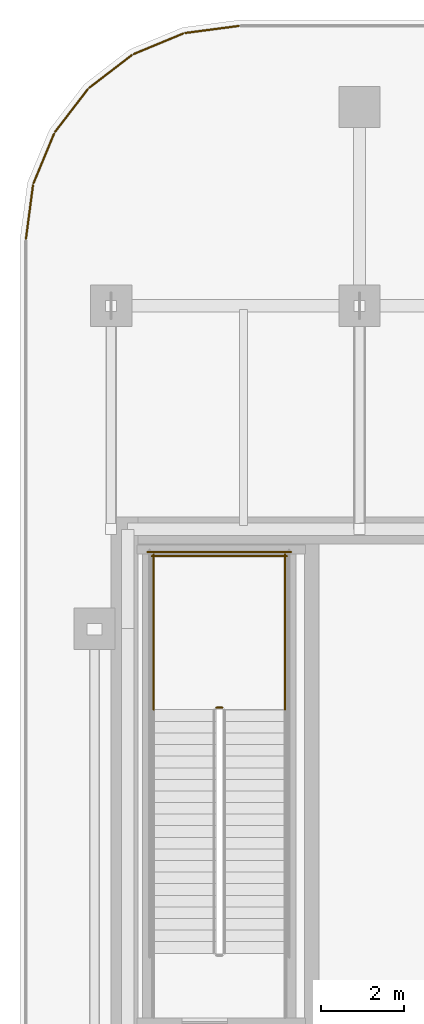
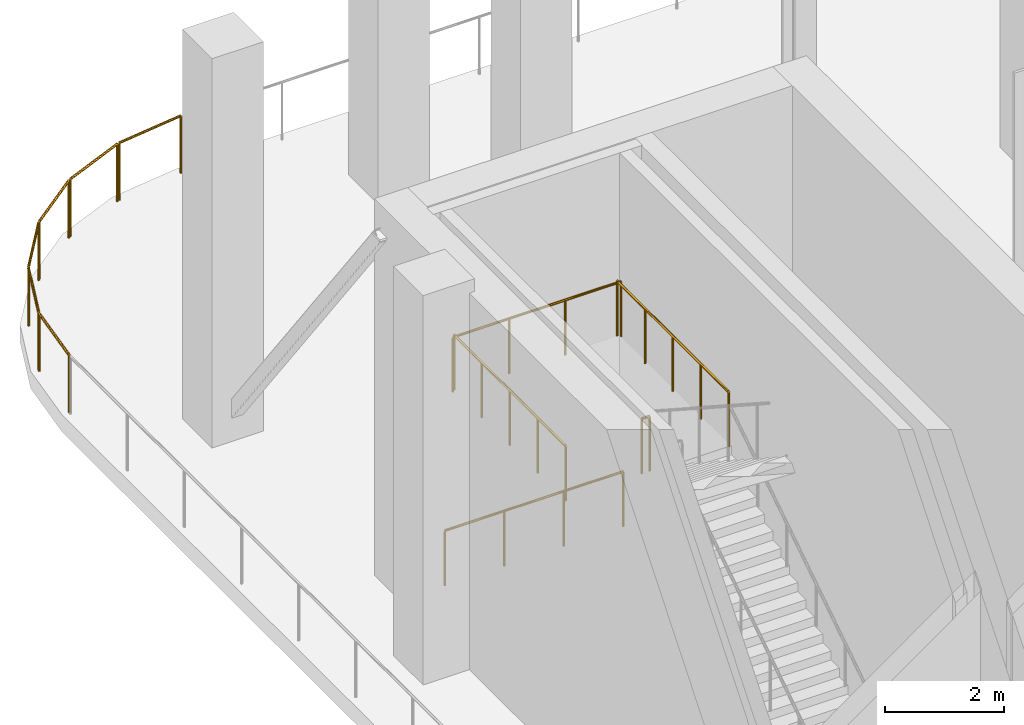
# One storey, part 11 of 12: 11 railings.
"""IFC4 building model written with IfcOpenShell, lengths in metres."""

from ifc_helpers import new_model, si_unit, direction, frame, origin, origin_2d, place, context, subcontext, project, spatial, circle, extrude, material, type_object, element, save


model = new_model("IFC4")

# Units and contexts
model_context = context("Model", 3, precision=1e-05, world=origin(), true_north=direction((0.0, 1.0)))
body_context = subcontext(model_context, "Body", "Model", "MODEL_VIEW")
ifc_project = project(units=[si_unit("LENGTHUNIT", "METRE"), si_unit("AREAUNIT", "SQUARE_METRE"), si_unit("VOLUMEUNIT", "CUBIC_METRE"), si_unit("PLANEANGLEUNIT", "RADIAN"), si_unit("MASSUNIT", "GRAM", prefix="KILO")], contexts=[model_context])

# Site, building, storey
site_placement = place(None, origin())
site = spatial("IfcSite", under=ifc_project, at=site_placement, CompositionType="ELEMENT")
building_placement = place(site_placement, origin())
building = spatial("IfcBuilding", under=site, at=building_placement, Name="Khairoan Windgate Tower", CompositionType="ELEMENT")
storey_placement = place(building_placement, frame((0.0, 0.0, 214.39990234375)))
storey = spatial("IfcBuildingStorey", under=building, at=storey_placement, Name="L50", CompositionType="ELEMENT", Elevation=214.39990234375)

# Railings
ifc_material_1 = material(Name="Anodised Bronze Aluminium 6063-T6", Category="aluminium")
railing_type_1 = type_object("IfcRailingType", Name="Aerodynamic Bronze-and-Glass Balustrade BAL-1200", PredefinedType="BALUSTRADE", material=ifc_material_1)
railing_1_placement = place(storey_placement, frame((-22.456787109375, 20.215576171875, 0.0)))
element("IfcRailing", 1, at=railing_1_placement, inside=storey, type_object=railing_type_1, Name="L50 Wind-Slot Portal Perimeter Balustrade 09", PredefinedType="BALUSTRADE", context=body_context, shape_type="SweptSolid", body=[
    extrude(circle(Radius=0.02392578125, at=origin_2d()), frame((0.0, 0.0, 1.17578125), z_axis=(0.130473854034, 0.991451750421, 0.0), x_axis=(-0.991451750421, 0.130473854034, 0.0)), (0.0, 0.0, 1.0), 1.30615234375),
    extrude(circle(Radius=0.02099609375, at=origin_2d()), origin(), (0.0, 0.0, 1.0), 1.15185546875),
    extrude(circle(Radius=0.02099609375, at=origin_2d()), frame((0.17041015625, 1.294921875, 0.0)), (0.0, 0.0, 1.0), 1.15185546875),
])
railing_2_placement = place(storey_placement, frame((-22.2734375, 21.558349609375, 0.0)))
element("IfcRailing", 2, at=railing_2_placement, inside=storey, type_object=railing_type_1, Name="L50 Wind-Slot Portal Perimeter Balustrade 10", PredefinedType="BALUSTRADE", context=body_context, shape_type="SweptSolid", body=[
    extrude(circle(Radius=0.02392578125, at=origin_2d()), frame((0.0, 0.0, 1.17578125), z_axis=(0.382756396898, 0.923849306236, 0.0), x_axis=(-0.923849306236, 0.382756396898, 0.0)), (0.0, 0.0, 1.0), 1.296630859375),
    extrude(circle(Radius=0.02099609375, at=origin_2d()), origin(), (0.0, 0.0, 1.0), 1.15185546875),
    extrude(circle(Radius=0.02099609375, at=origin_2d()), frame((0.496337890625, 1.197998046875, 0.0)), (0.0, 0.0, 1.0), 1.15185546875),
])
railing_3_placement = place(storey_placement, frame((-21.75244140625, 22.79931640625, 0.0)))
element("IfcRailing", 3, at=railing_3_placement, inside=storey, type_object=railing_type_1, Name="L50 Wind-Slot Portal Perimeter Balustrade 11", PredefinedType="BALUSTRADE", context=body_context, shape_type="SweptSolid", body=[
    extrude(circle(Radius=0.02392578125, at=origin_2d()), frame((0.0, 0.0, 1.17578125), z_axis=(0.608700288014, 0.793400251683, 0.0), x_axis=(-0.793400251683, 0.608700288014, 0.0)), (0.0, 0.0, 1.0), 1.296630859375),
    extrude(circle(Radius=0.02099609375, at=origin_2d()), origin(), (0.0, 0.0, 1.0), 1.15185546875),
    extrude(circle(Radius=0.02099609375, at=origin_2d()), frame((0.789306640625, 1.02880859375, 0.0)), (0.0, 0.0, 1.0), 1.15185546875),
])
railing_4_placement = place(storey_placement, frame((-20.927978515625, 23.863037109375, 0.0)))
element("IfcRailing", 4, at=railing_4_placement, inside=storey, type_object=railing_type_1, Name="L50 Wind-Slot Portal Perimeter Balustrade 12", PredefinedType="BALUSTRADE", context=body_context, shape_type="SweptSolid", body=[
    extrude(circle(Radius=0.02392578125, at=origin_2d()), frame((0.0, 0.0, 1.17578125), z_axis=(0.793400251683, 0.608700288014, 0.0), x_axis=(-0.608700288014, 0.793400251683, 0.0)), (0.0, 0.0, 1.0), 1.296630859375),
    extrude(circle(Radius=0.02099609375, at=origin_2d()), origin(), (0.0, 0.0, 1.0), 1.15185546875),
    extrude(circle(Radius=0.02099609375, at=origin_2d()), frame((1.02880859375, 0.789306640625, 0.0)), (0.0, 0.0, 1.0), 1.15185546875),
])
railing_5_placement = place(storey_placement, frame((-19.856201171875, 24.67724609375, 0.0)))
element("IfcRailing", 5, at=railing_5_placement, inside=storey, type_object=railing_type_1, Name="L50 Wind-Slot Portal Perimeter Balustrade 13", PredefinedType="BALUSTRADE", context=body_context, shape_type="SweptSolid", body=[
    extrude(circle(Radius=0.02392578125, at=origin_2d()), frame((0.0, 0.0, 1.17578125), z_axis=(0.923915871673, 0.382595690084, 0.0), x_axis=(-0.382595690084, 0.923915871673, 0.0)), (0.0, 0.0, 1.0), 1.296630859375),
    extrude(circle(Radius=0.02099609375, at=origin_2d()), origin(), (0.0, 0.0, 1.0), 1.15185546875),
    extrude(circle(Radius=0.02099609375, at=origin_2d()), frame((1.197998046875, 0.49609375, 0.0)), (0.0, 0.0, 1.0), 1.15185546875),
])
railing_6_placement = place(storey_placement, frame((-18.6103515625, 25.186279296875, 0.0)))
element("IfcRailing", 6, at=railing_6_placement, inside=storey, type_object=railing_type_1, Name="L50 Wind-Slot Portal Perimeter Balustrade 14", PredefinedType="BALUSTRADE", context=body_context, shape_type="SweptSolid", body=[
    extrude(circle(Radius=0.02392578125, at=origin_2d()), frame((0.0, 0.0, 1.17578125), z_axis=(0.991448567428, 0.130498038858, 0.0), x_axis=(-0.130498038858, 0.991448567428, 0.0)), (0.0, 0.0, 1.0), 1.305908203125),
    extrude(circle(Radius=0.02099609375, at=origin_2d()), origin(), (0.0, 0.0, 1.0), 1.15185546875),
    extrude(circle(Radius=0.02099609375, at=origin_2d()), frame((1.294677734375, 0.17041015625, 0.0)), (0.0, 0.0, 1.0), 1.15185546875),
])
ifc_material_2 = material(Name="Steel S355", Category="steel")
railing_type_2 = type_object("IfcRailingType", Name="Stairwell Safety Guardrail SGR-1150", PredefinedType="GUARDRAIL", material=ifc_material_2)
railing_7_placement = place(storey_placement, frame((-17.7099609375, 8.889892578125, 4.0)))
element("IfcRailing", 7, at=railing_7_placement, inside=storey, type_object=railing_type_2, Name="L50 ST2 stair guard 2", PredefinedType="GUARDRAIL", context=body_context, shape_type="SweptSolid", body=[
    extrude(circle(Radius=0.02392578125, at=origin_2d()), frame((0.0, 0.0, 1.1259765625), z_axis=(-1.0, 0.0, 0.0), x_axis=(0.0, -1.0, 0.0)), (0.0, 0.0, 1.0), 0.150146484375),
    extrude(circle(Radius=0.02099609375, at=origin_2d()), origin(), (0.0, 0.0, 1.0), 1.101806640625),
    extrude(circle(Radius=0.02099609375, at=origin_2d()), frame((-0.150146484375, 0.0, 0.0)), (0.0, 0.0, 1.0), 1.101806640625),
])
for number, where, name in (
    (8, (-16.199951171875, 8.840087890625, 4.0), "L50 ST2 stair guard 3"),
    (9, (-19.3701171875, 8.840087890625, 4.0), "L50 ST2 stair guard 4"),
):
    element("IfcRailing", number, at=place(storey_placement, frame(where)), inside=storey, type_object=railing_type_2, Name=name, PredefinedType="GUARDRAIL", context=body_context, shape_type="SweptSolid", body=[
        extrude(circle(Radius=0.02392578125, at=origin_2d()), frame((0.0, 0.0, 1.1259765625), z_axis=(0.0, 1.0, 0.0), x_axis=(-1.0, 0.0, 0.0)), (0.0, 0.0, 1.0), 3.760009765625),
        extrude(circle(Radius=0.02099609375, at=origin_2d()), origin(), (0.0, 0.0, 1.0), 1.101806640625),
        extrude(circle(Radius=0.02099609375, at=origin_2d()), frame((0.0, 0.93994140625, 0.0)), (0.0, 0.0, 1.0), 1.101806640625),
        extrude(circle(Radius=0.02099609375, at=origin_2d()), frame((0.0, 1.8798828125, 0.0)), (0.0, 0.0, 1.0), 1.101806640625),
        extrude(circle(Radius=0.02099609375, at=origin_2d()), frame((0.0, 2.820068359375, 0.0)), (0.0, 0.0, 1.0), 1.101806640625),
        extrude(circle(Radius=0.02099609375, at=origin_2d()), frame((0.0, 3.760009765625, 0.0)), (0.0, 0.0, 1.0), 1.101806640625),
    ])
railing_8_placement = place(storey_placement, frame((-16.14990234375, 12.550048828125, 4.0)))
element("IfcRailing", 10, at=railing_8_placement, inside=storey, type_object=railing_type_2, Name="L50 ST2 stair guard 5", PredefinedType="GUARDRAIL", context=body_context, shape_type="SweptSolid", body=[
    extrude(circle(Radius=0.02392578125, at=origin_2d()), frame((0.0, 0.0, 1.1259765625), z_axis=(-1.0, 0.0, 0.0), x_axis=(0.0, -1.0, 0.0)), (0.0, 0.0, 1.0), 3.27001953125),
    extrude(circle(Radius=0.02099609375, at=origin_2d()), origin(), (0.0, 0.0, 1.0), 1.101806640625),
    extrude(circle(Radius=0.02099609375, at=origin_2d()), frame((-1.090087890625, 0.0, 0.0)), (0.0, 0.0, 1.0), 1.101806640625),
    extrude(circle(Radius=0.02099609375, at=origin_2d()), frame((-2.179931640625, 0.0, 0.0)), (0.0, 0.0, 1.0), 1.101806640625),
    extrude(circle(Radius=0.02099609375, at=origin_2d()), frame((-3.27001953125, 0.0, 0.0)), (0.0, 0.0, 1.0), 1.101806640625),
])
railing_9_placement = place(storey_placement, frame((-16.050048828125, 12.64990234375, 0.0)))
element("IfcRailing", 11, at=railing_9_placement, inside=storey, type_object=railing_type_2, Name="L50 ST2 stair guard 12", PredefinedType="GUARDRAIL", context=body_context, shape_type="SweptSolid", body=[
    extrude(circle(Radius=0.02392578125, at=origin_2d()), frame((0.0, 0.0, 1.1259765625), z_axis=(-1.0, 0.0, 0.0), x_axis=(0.0, -1.0, 0.0)), (0.0, 0.0, 1.0), 3.469970703125),
    extrude(circle(Radius=0.02099609375, at=origin_2d()), origin(), (0.0, 0.0, 1.0), 1.101806640625),
    extrude(circle(Radius=0.02099609375, at=origin_2d()), frame((-1.15673828125, 0.0, 0.0)), (0.0, 0.0, 1.0), 1.101806640625),
    extrude(circle(Radius=0.02099609375, at=origin_2d()), frame((-2.313232421875, 0.0, 0.0)), (0.0, 0.0, 1.0), 1.101806640625),
    extrude(circle(Radius=0.02099609375, at=origin_2d()), frame((-3.469970703125, 0.0, 0.0)), (0.0, 0.0, 1.0), 1.101806640625),
])

save(model, "model.ifc")
